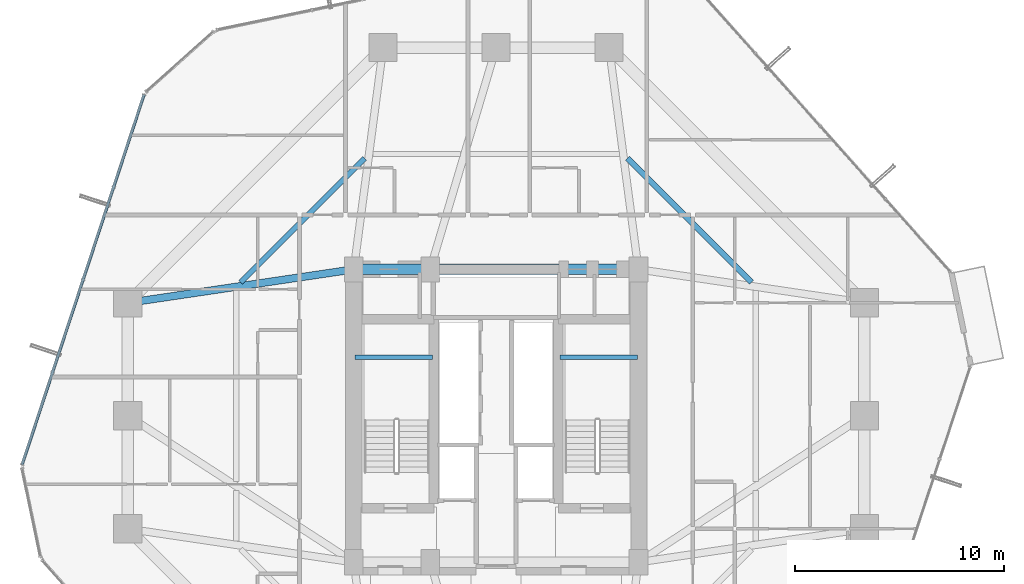
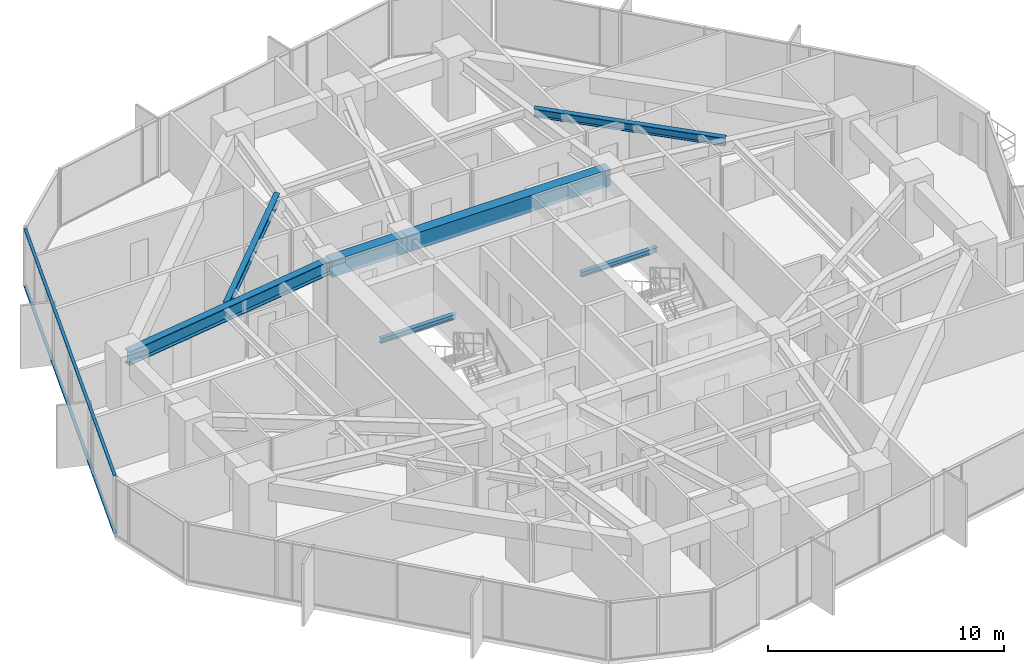
# One storey, part 13 of 38: 7 beams, 2 members, 1 element without a shape of its own.
"""IFC4 building model written with IfcOpenShell, lengths in metres."""

from ifc_helpers import new_model, si_unit, direction, frame, origin, origin_2d, place, context, subcontext, project, spatial, rectangle, hollow_rectangle, i_section, extrude, source, transform, mapped, material, layer, layer_set, material_profile, profile_set, type_object, element, aggregate, save


model = new_model("IFC4")

# Units and contexts
model_context = context("Model", 3, precision=1e-05, world=origin(), true_north=direction((0.0, 1.0)))
body_context = subcontext(model_context, "Body", "Model", "MODEL_VIEW")
ifc_project = project(units=[si_unit("LENGTHUNIT", "METRE"), si_unit("AREAUNIT", "SQUARE_METRE"), si_unit("VOLUMEUNIT", "CUBIC_METRE"), si_unit("PLANEANGLEUNIT", "RADIAN"), si_unit("MASSUNIT", "GRAM", prefix="KILO")], contexts=[model_context])

# Site, building, storey
site_placement = place(None, origin())
site = spatial("IfcSite", under=ifc_project, at=site_placement, CompositionType="ELEMENT")
building_placement = place(site_placement, origin())
building = spatial("IfcBuilding", under=site, at=building_placement, Name="Veraguas Prism Commons", CompositionType="ELEMENT")
storey_placement = place(building_placement, frame((0.0, 0.0, 64.10009765625)))
storey = spatial("IfcBuildingStorey", under=building, at=storey_placement, Name="L17", CompositionType="ELEMENT", Elevation=64.10009765625)

# Beams
ifc_material_1 = material(Name="Concrete C50/60", Category="concrete")
ifc_material_profile_1 = material_profile(ifc_material_1, rectangle(XDim=0.5, YDim=0.85009765625, at=origin_2d()), Name="RC500X850")
ifc_profile_set_1 = profile_set([ifc_material_profile_1], Name="Concrete C50/60")
beam_type_1 = type_object("IfcBeamType", Name="Core Coupling Beam RC 500x850", PredefinedType="BEAM", material=ifc_profile_set_1)
beam_1_placement = place(storey_placement, frame((17.199951171875, 31.0, 2.574951171875), z_axis=(1.0, 0.0, 0.0), x_axis=(0.0, 1.0, 0.0)))
element("IfcBeam", 1, at=beam_1_placement, inside=storey, type_object=beam_type_1, Name="Core Coupling Beam L17-CRN1", PredefinedType="BEAM", context=body_context, shape_type="SweptSolid", body=[
    extrude(rectangle(XDim=0.5, YDim=0.85009765625, at=origin_2d()), origin(), (0.0, 0.0, 1.0), 3.650146484375),
])
beam_2_placement = place(storey_placement, frame((20.85009765625, 31.0, 2.574951171875), z_axis=(1.0, 0.0, 0.0), x_axis=(0.0, 1.0, 0.0)))
element("IfcBeam", 2, at=beam_2_placement, inside=storey, type_object=beam_type_1, Name="Core Coupling Beam L17-CRN2", PredefinedType="BEAM", context=body_context, shape_type="SweptSolid", body=[
    extrude(rectangle(XDim=0.5, YDim=0.85009765625, at=origin_2d()), origin(), (0.0, 0.0, 1.0), 9.949951171875),
])
ifc_material_2 = material(Name="Steel ASTM A992 Grade 50", Category="steel")
ifc_material_profile_2 = material_profile(ifc_material_2, i_section(OverallWidth=0.260986328125, OverallDepth=0.419921875, WebThickness=0.01171875, FlangeThickness=0.019287109375, at=origin_2d()), Name="W410X114")
ifc_profile_set_2 = profile_set([ifc_material_profile_2], Name="Steel ASTM A992 Grade 50")
beam_type_2 = type_object("IfcBeamType", Name="Lower Floor Joist W410x114", PredefinedType="JOIST", material=ifc_profile_set_2)
for number, where, z_axis, x_axis, name in (
    (3, (36.20703125, 30.376953125, 2.789794921875), (-0.707092226423, 0.70712133565, 0.0), (-0.70712133565, -0.707092226423, 0.0), "Composite Floor Joist L17-JS03"),
    (4, (17.723388671875, 36.3076171875, 2.789794921875), (-0.707092226423, -0.70712133565, 0.0), (0.70712133565, -0.707092226423, 0.0), "Composite Floor Joist L17-JS06"),
):
    element("IfcBeam", number, at=place(storey_placement, frame(where, z_axis=z_axis, x_axis=x_axis)), inside=storey, type_object=beam_type_2, Name=name, PredefinedType="JOIST", context=body_context, shape_type="SweptSolid", body=[
        extrude(i_section(OverallWidth=0.260986328125, OverallDepth=0.419921875, WebThickness=0.01171875, FlangeThickness=0.019287109375, at=origin_2d()), origin(), (0.0, 0.0, 1.0), 8.386962890625),
    ])
ifc_material_profile_3 = material_profile(ifc_material_2, i_section(OverallWidth=0.202880859375, OverallDepth=0.251953125, WebThickness=0.008056640625, FlangeThickness=0.013427734375, at=origin_2d()), Name="W250X58")
ifc_profile_set_3 = profile_set([ifc_material_profile_3], Name="Steel ASTM A992 Grade 50")
beam_type_3 = type_object("IfcBeamType", Name="Structural Opening Lintel W250x58", PredefinedType="LINTEL", material=ifc_profile_set_3)
for number, where, z_axis, x_axis, name in (
    (5, (17.25, 26.800048828125, 1.298828125), (1.0, 0.0, 0.0), (0.0, 1.0, 0.0), "Stair ST-01 Half-Landing Support Beam L17-1"),
    (6, (27.050048828125, 26.800048828125, 1.298828125), (1.0, 0.0, 0.0), (0.0, 1.0, 0.0), "Stair ST-02 Half-Landing Support Beam L17-1"),
):
    element("IfcBeam", number, at=place(storey_placement, frame(where, z_axis=z_axis, x_axis=x_axis)), inside=storey, type_object=beam_type_3, Name=name, PredefinedType="LINTEL", context=body_context, shape_type="SweptSolid", body=[
        extrude(i_section(OverallWidth=0.202880859375, OverallDepth=0.251953125, WebThickness=0.008056640625, FlangeThickness=0.013427734375, at=origin_2d()), origin(), (0.0, 0.0, 1.0), 3.699951171875),
    ])
ifc_material_profile_4 = material_profile(ifc_material_2, i_section(OverallWidth=0.35595703125, OverallDepth=0.700927734375, WebThickness=0.016845703125, FlangeThickness=0.02734375, at=origin_2d()), Name="W690X240")
ifc_profile_set_4 = profile_set([ifc_material_profile_4], Name="Steel ASTM A992 Grade 50")
beam_type_4 = type_object("IfcBeamType", Name="Zone 1 Radial Girder W690x240", PredefinedType="BEAM", material=ifc_profile_set_4)
beam_3_placement = place(storey_placement, frame((6.39990234375, 29.39990234375, 2.6494140625), z_axis=(0.989202261707, 0.146556765224, 0.0), x_axis=(-0.146556765224, 0.989202261707, 0.0)))
element("IfcBeam", 7, at=beam_3_placement, inside=storey, type_object=beam_type_4, Name="Radial Floor Girder L17-RD07", PredefinedType="BEAM", context=body_context, shape_type="SweptSolid", body=[
    extrude(i_section(OverallWidth=0.35595703125, OverallDepth=0.700927734375, WebThickness=0.016845703125, FlangeThickness=0.02734375, at=origin_2d()), origin(), (0.0, 0.0, 1.0), 10.91796875),
])

# Curtain wall, members
ifc_material_3 = material(Name="Anodised aluminium EN AW-6063 T6", Category="aluminium")
ifc_layer = layer(ifc_material_3, 0.169921875, Name="Unitised Flush Curtain Wall Zone 1", Category="aluminium")
ifc_layer_set = layer_set([ifc_layer], Name="Anodised aluminium EN AW-6063 T6")
curtain_wall_type = type_object("IfcCurtainWallType", Name="Unitised Flush Curtain Wall Zone 1", PredefinedType="NOTDEFINED", material=ifc_layer_set)
curtain_wall_placement = place(storey_placement, origin())
curtain_wall = element("IfcCurtainWall", 8, at=curtain_wall_placement, inside=storey, type_object=curtain_wall_type, Name="Tower Facade Curtain Wall L17-F3", PredefinedType="NOTDEFINED")
ifc_material_profile_5 = material_profile(ifc_material_3, hollow_rectangle(XDim=0.054931640625, YDim=0.135009765625, WallThickness=0.0029296875, at=origin_2d()), Name="AL55X135X3")
ifc_profile_set_5 = profile_set([ifc_material_profile_5], Name="Anodised aluminium EN AW-6063 T6")
member_type = type_object("IfcMemberType", Name="Curtain Wall Transom Standard AL 55x135x3", PredefinedType="USERDEFINED", material=ifc_profile_set_5)
shared_shape = source(origin(), body_context, "Body", "SweptSolid", [
    extrude(hollow_rectangle(XDim=0.054931640625, YDim=0.135009765625, WallThickness=0.0029296875, at=origin_2d()), origin(), (0.0, 0.0, 1.0), 18.6240234375),
])
member_1_placement = place(storey_placement, frame((7.17431640625, 39.349609375, 0.02734375), z_axis=(-0.312989325519, -0.949756643626, 0.0), x_axis=(0.0, 0.0, 1.0)))
member_1 = element("IfcMember", 9, at=member_1_placement, type_object=member_type, Name="CW-Z1 Transom 1", ObjectType="TRANSOM", PredefinedType="USERDEFINED", context=body_context, shape_type="MappedRepresentation", body=[
    mapped(shared_shape, transform((0.0, 0.0, 0.0), scale=1.0)),
])
member_2_placement = place(storey_placement, frame((7.17431640625, 39.349609375, 2.972412109375), z_axis=(-0.312989325519, -0.949756643626, 0.0), x_axis=(0.0, 0.0, 1.0)))
member_2 = element("IfcMember", 10, at=member_2_placement, type_object=member_type, Name="CW-Z1 Transom 2", ObjectType="TRANSOM", PredefinedType="USERDEFINED", context=body_context, shape_type="MappedRepresentation", body=[
    mapped(shared_shape, transform((0.0, 0.0, 0.0), scale=1.0)),
])
aggregate(curtain_wall, [member_1, member_2])

save(model, "model.ifc")
